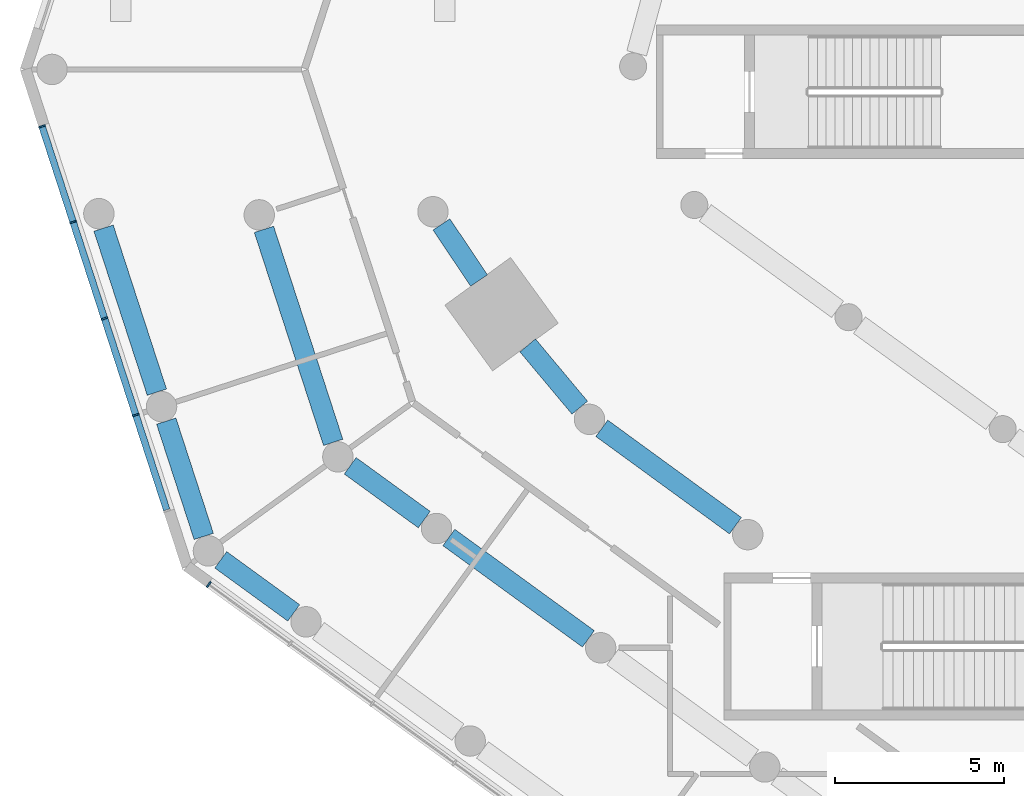
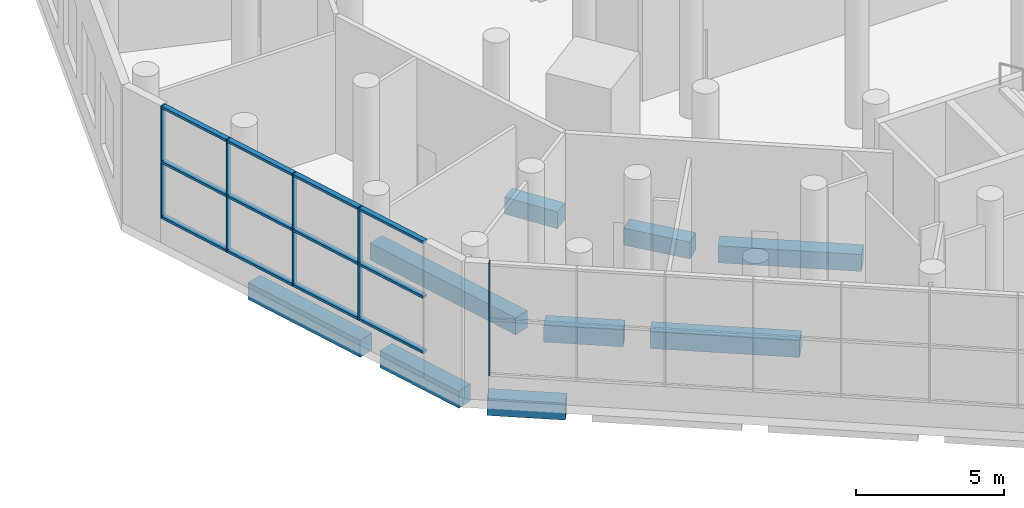
# One storey, part 3 of 19: 17 members, 9 beams, 2 elements without a shape of their own.
"""IFC4 building model written with IfcOpenShell, lengths in metres."""

import ifcopenshell
import ifcopenshell.guid

model = None  # the IFC model being written
_history = None  # IfcOwnerHistory: only IFC2X3 demands one
_inside = {}  # id of a spatial element -> (the spatial element, [elements in it])
_under = {}  # id of a project, library or spatial element -> (it, [spatial elements below it])
_declared = {}  # id of a project -> (the project, [libraries it declares])
_typed = {}  # id of a type object -> (the type object, [elements of that type])
_made_of = {}  # id of a material, layer set ... -> (it, [elements and type objects made of it])


def new_model(schema):
    """Start an empty IFC model of exactly this schema.

    Asked for "IFC4X3", IfcOpenShell would pick the latest addendum, in which some entities
    have other attributes; the version numbers below select the first issue.
    IFC2X3 requires an IfcOwnerHistory on every rooted entity: one is made here for all.
    """
    global model, _history
    if schema == "IFC4X3":
        model = ifcopenshell.file(schema_version=(4, 3, 0, 0))
    else:
        model = ifcopenshell.file(schema=schema)
    _inside.clear()
    _under.clear()
    _declared.clear()
    _typed.clear()
    _made_of.clear()
    _history = None
    if model.schema == "IFC2X3":
        org = make("IfcOrganization", Name="unknown")
        user = make(
            "IfcPersonAndOrganization",
            ThePerson=make("IfcPerson", FamilyName="unknown"),
            TheOrganization=org,
        )
        app = make(
            "IfcApplication",
            ApplicationDeveloper=org,
            Version="unknown",
            ApplicationFullName="unknown",
            ApplicationIdentifier="unknown",
        )
        _history = make(
            "IfcOwnerHistory",
            OwningUser=user,
            OwningApplication=app,
            ChangeAction="ADDED",
            CreationDate=0,
        )
    return model


def make(cls, **values):
    """One entity of the class cls with the attributes given. An attribute that is None is left unset."""
    return model.create_entity(
        cls, **{name: value for name, value in values.items() if value is not None}
    )


def rooted(cls, **values):
    """An entity with a GlobalId (a new one), such as an element, a storey or a relation."""
    return make(cls, GlobalId=ifcopenshell.guid.new(), OwnerHistory=_history, **values)


def si_unit(unit_type, name, prefix=None):
    """IfcSIUnit, for example si_unit("LENGTHUNIT", "METRE", prefix="MILLI")."""
    return make("IfcSIUnit", UnitType=unit_type, Prefix=prefix, Name=name)


def assignment(units):
    """IfcUnitAssignment: the units of a project."""
    return None if units is None else make("IfcUnitAssignment", Units=units)


def point(xyz):
    """IfcCartesianPoint."""
    return None if xyz is None else make("IfcCartesianPoint", Coordinates=xyz)


def direction(xyz):
    """IfcDirection."""
    return None if xyz is None else make("IfcDirection", DirectionRatios=xyz)


def frame(location, z_axis=None, x_axis=None):
    """IfcAxis2Placement3D, a coordinate frame: its origin and axes. An axis left out is left unset."""
    return make(
        "IfcAxis2Placement3D",
        Location=point(location),
        Axis=direction(z_axis),
        RefDirection=direction(x_axis),
    )


def frame_2d(location, x_axis=None):
    """IfcAxis2Placement2D, a coordinate frame in the plane: its origin and x axis."""
    return make(
        "IfcAxis2Placement2D", Location=point(location), RefDirection=direction(x_axis)
    )


def origin():
    """The frame at (0, 0, 0) with its axes left unset."""
    return frame((0.0, 0.0, 0.0))


def origin_2d():
    """The frame at (0, 0) in the plane with its x axis left unset."""
    return frame_2d((0.0, 0.0))


def place(relative_to, where):
    """IfcLocalPlacement: puts the frame where relative to a parent placement (None: the world)."""
    return make(
        "IfcLocalPlacement", PlacementRelTo=relative_to, RelativePlacement=where
    )


def context(
    kind, dimensions, precision=None, world=None, true_north=None, identifier=None
):
    """IfcGeometricRepresentationContext, for example the 3D "Model" context."""
    return make(
        "IfcGeometricRepresentationContext",
        ContextIdentifier=identifier,
        ContextType=kind,
        CoordinateSpaceDimension=dimensions,
        Precision=precision,
        WorldCoordinateSystem=world,
        TrueNorth=true_north,
    )


def subcontext(parent, identifier, kind, view, scale=None):
    """IfcGeometricRepresentationSubContext, for example "Body" below "Model"."""
    return make(
        "IfcGeometricRepresentationSubContext",
        ContextIdentifier=identifier,
        ContextType=kind,
        ParentContext=parent,
        TargetScale=scale,
        TargetView=view,
    )


def project(units=None, contexts=None):
    """IfcProject with its units and contexts."""
    return rooted(
        "IfcProject",
        Name="project",
        RepresentationContexts=contexts,
        UnitsInContext=assignment(units),
    )


def spatial(cls, under=None, at=None, **own):
    """A site, building, storey or space (cls), placed at a placement, below another one or the project."""
    s = rooted(cls, ObjectPlacement=at, **own)
    if under is not None:
        _under.setdefault(under.id(), (under, []))[1].append(s)
    return s


def profile(cls, at=None, kind="AREA", **sizes):
    """A parametric profile (cls). Its sizes go by their IFC names, for example OverallWidth=200.0."""
    return make(cls, ProfileType=kind, Position=at, **sizes)


def rectangle(**sizes):
    """IfcRectangleProfileDef."""
    return profile("IfcRectangleProfileDef", **sizes)


def extrude(swept, where, along, depth):
    """IfcExtrudedAreaSolid: the profile swept, set in the frame where, extruded along a direction by depth."""
    return make(
        "IfcExtrudedAreaSolid",
        SweptArea=swept,
        Position=where,
        ExtrudedDirection=direction(along),
        Depth=depth,
    )


def shape(context_of_items, identifier, shape_type, items):
    """IfcShapeRepresentation: the items that make up one representation, for example the "Body"."""
    return make(
        "IfcShapeRepresentation",
        ContextOfItems=context_of_items,
        RepresentationIdentifier=identifier,
        RepresentationType=shape_type,
        Items=items,
    )


def material(Name=None, Category=None):
    """IfcMaterial."""
    return make("IfcMaterial", Name=Name, Category=Category)


def material_profile(
    of_material, cross_section, Name=None, Category=None, Priority=None
):
    """IfcMaterialProfile: a cross section and its material."""
    return make(
        "IfcMaterialProfile",
        Name=Name,
        Material=of_material,
        Profile=cross_section,
        Priority=Priority,
        Category=Category,
    )


def profile_set(profiles, Name=None, composite=None):
    """IfcMaterialProfileSet."""
    return make(
        "IfcMaterialProfileSet",
        Name=Name,
        MaterialProfiles=profiles,
        CompositeProfile=composite,
    )


def made_of(thing, what):
    """Note that an element or type object is made of a material, layer set ...; save() writes the relation."""
    if what is not None:
        _made_of.setdefault(what.id(), (what, []))[1].append(thing)
    return thing


def type_object(cls, material=None, **own):
    """A type object (cls), such as IfcWallType, which elements share."""
    return made_of(rooted(cls, **own), material)


def element(
    cls,
    number,
    at=None,
    inside=None,
    cuts=None,
    type_object=None,
    material=None,
    context=None,
    identifier="Body",
    shape_type=None,
    held_by="IfcProductDefinitionShape",
    body=None,
    shapes=None,
    **own,
):
    """One element of the class cls, such as IfcWall. Its Tag is "e" and its number.

    at: its placement. inside: the storey or other place that contains it. cuts: it is an
    opening in that element (IfcRelVoidsElement). A single representation is given by context,
    identifier, shape_type and body (its items); several are given by shapes. held_by: the class
    of the entity that holds the representations. save() writes the other relations.
    """
    e = rooted(cls, Tag="e%d" % number, ObjectPlacement=at, **own)
    if body is not None:
        shapes = [shape(context, identifier, shape_type, body)]
    if shapes is not None:
        e.Representation = make(held_by, Representations=shapes)
    if inside is not None:
        _inside.setdefault(inside.id(), (inside, []))[1].append(e)
    if cuts is not None:
        rooted(
            "IfcRelVoidsElement", RelatingBuildingElement=cuts, RelatedOpeningElement=e
        )
    if type_object is not None:
        _typed.setdefault(type_object.id(), (type_object, []))[1].append(e)
    return made_of(e, material)


def aggregate(whole, parts):
    """IfcRelAggregates: a whole, such as a stair, and the parts it consists of."""
    return rooted("IfcRelAggregates", RelatingObject=whole, RelatedObjects=parts)


def save(model, path):
    """Write the relations noted so far, then the file.

    IfcRelAggregates (storeys below a building ...), IfcRelContainedInSpatialStructure (elements
    in a storey), IfcRelDefinesByType, IfcRelAssociatesMaterial and IfcRelDeclares: one each for
    every whole, place, type object, material and project.
    """
    for whole, parts in _under.values():
        aggregate(whole, parts)
    for where, things in _inside.values():
        rooted(
            "IfcRelContainedInSpatialStructure",
            RelatedElements=things,
            RelatingStructure=where,
        )
    for kind, things in _typed.values():
        rooted("IfcRelDefinesByType", RelatedObjects=things, RelatingType=kind)
    for what, things in _made_of.values():
        rooted("IfcRelAssociatesMaterial", RelatedObjects=things, RelatingMaterial=what)
    for by, libraries in _declared.values():
        rooted("IfcRelDeclares", RelatingContext=by, RelatedDefinitions=libraries)
    model.write(path)


model = new_model("IFC4")

# Units and contexts
model_context = context("Model", 3, precision=1e-05, world=origin(), true_north=direction((0.0, 1.0)))
body_context = subcontext(model_context, "Body", "Model", "MODEL_VIEW")
ifc_project = project(units=[si_unit("LENGTHUNIT", "METRE"), si_unit("AREAUNIT", "SQUARE_METRE"), si_unit("VOLUMEUNIT", "CUBIC_METRE"), si_unit("PLANEANGLEUNIT", "RADIAN"), si_unit("MASSUNIT", "GRAM", prefix="KILO")], contexts=[model_context])

# Site, building, storey
site_placement = place(None, origin())
site = spatial("IfcSite", under=ifc_project, at=site_placement, CompositionType="ELEMENT")
building_placement = place(site_placement, origin())
building = spatial("IfcBuilding", under=site, at=building_placement, Name="White Candle Pilgrim Tower", CompositionType="ELEMENT")
storey_placement = place(building_placement, frame((0.0, 0.0, 23.0)))
storey = spatial("IfcBuildingStorey", under=building, at=storey_placement, Name="L03", CompositionType="ELEMENT", Elevation=23.0)

# Curtain wall, members
ifc_material_1 = material(Name="Aluminium and glass", Category="aluminium")
curtain_wall_type = type_object("IfcCurtainWallType", Name="Curtain wall CW2 prayer hall clerestory", PredefinedType="NOTDEFINED", material=ifc_material_1)
curtain_wall_1_placement = place(storey_placement, origin())
curtain_wall_1 = element("IfcCurtainWall", 1, at=curtain_wall_1_placement, inside=storey, type_object=curtain_wall_type, Name="Curtain wall CW2 L03 W chamfer", PredefinedType="NOTDEFINED")
ifc_material_2 = material(Name="Aluminium", Category="aluminium")
ifc_material_profile_1 = material_profile(ifc_material_2, rectangle(XDim=0.199951171875, YDim=0.050048828125, at=origin_2d()), Name="CW2 mullion 50x200")
ifc_profile_set_1 = profile_set([ifc_material_profile_1], Name="Aluminium")
member_type_1 = type_object("IfcMemberType", Name="CW2 mullion 50x200", PredefinedType="MULLION", material=ifc_profile_set_1)
member_1_placement = place(storey_placement, frame((34.82958984375, 58.85498046875, 1.0), z_axis=(0.0, 0.0, 1.0), x_axis=(0.95105651444, 0.309017000085, 0.0)))
member_1 = element("IfcMember", 2, at=member_1_placement, type_object=member_type_1, Name="CW2 mullion 1", PredefinedType="MULLION", context=body_context, shape_type="SweptSolid", body=[
    extrude(rectangle(XDim=0.199951171875, YDim=0.050048828125, at=origin_2d()), origin(), (0.0, 0.0, 1.0), 4.64990234375),
])
member_2_placement = place(storey_placement, frame((35.7490234375, 56.025634765625, 1.0), z_axis=(0.0, 0.0, 1.0), x_axis=(0.95105651444, 0.309017000085, 0.0)))
member_2 = element("IfcMember", 3, at=member_2_placement, type_object=member_type_1, Name="CW2 mullion 2", PredefinedType="MULLION", context=body_context, shape_type="SweptSolid", body=[
    extrude(rectangle(XDim=0.199951171875, YDim=0.050048828125, at=origin_2d()), origin(), (0.0, 0.0, 1.0), 4.64990234375),
])
member_3_placement = place(storey_placement, frame((36.676025390625, 53.17236328125, 1.0), z_axis=(0.0, 0.0, 1.0), x_axis=(0.95105651444, 0.309017000085, 0.0)))
member_3 = element("IfcMember", 4, at=member_3_placement, type_object=member_type_1, Name="CW2 mullion 3", PredefinedType="MULLION", context=body_context, shape_type="SweptSolid", body=[
    extrude(rectangle(XDim=0.199951171875, YDim=0.050048828125, at=origin_2d()), origin(), (0.0, 0.0, 1.0), 4.64990234375),
])
member_4_placement = place(storey_placement, frame((37.60302734375, 50.319091796875, 1.0), z_axis=(0.0, 0.0, 1.0), x_axis=(0.95105651444, 0.309017000085, 0.0)))
member_4 = element("IfcMember", 5, at=member_4_placement, type_object=member_type_1, Name="CW2 mullion 4", PredefinedType="MULLION", context=body_context, shape_type="SweptSolid", body=[
    extrude(rectangle(XDim=0.199951171875, YDim=0.050048828125, at=origin_2d()), origin(), (0.0, 0.0, 1.0), 4.64990234375),
])

# Curtain wall, member
curtain_wall_2_placement = place(storey_placement, origin())
curtain_wall_2 = element("IfcCurtainWall", 6, at=curtain_wall_2_placement, inside=storey, type_object=curtain_wall_type, Name="Curtain wall CW2 L03 SW", PredefinedType="NOTDEFINED")
member_5_placement = place(storey_placement, frame((39.76025390625, 45.3037109375, 1.0), z_axis=(0.0, 0.0, 1.0), x_axis=(0.587785249384, 0.809016996488, 0.0)))
member_5 = element("IfcMember", 7, at=member_5_placement, type_object=member_type_1, Name="CW2 mullion 1", PredefinedType="MULLION", context=body_context, shape_type="SweptSolid", body=[
    extrude(rectangle(XDim=0.199951171875, YDim=0.050048828125, at=origin_2d()), origin(), (0.0, 0.0, 1.0), 4.64990234375),
])
aggregate(curtain_wall_2, [member_5])

# Member
ifc_material_profile_2 = material_profile(ifc_material_2, rectangle(XDim=0.199951171875, YDim=0.10009765625, at=origin_2d()), Name="CW2 transom 100x200")
ifc_profile_set_2 = profile_set([ifc_material_profile_2], Name="Aluminium")
member_type_2 = type_object("IfcMemberType", Name="CW2 transom 100x200", PredefinedType="USERDEFINED", material=ifc_profile_set_2)
member_6_placement = place(storey_placement, frame((34.83740234375, 58.8310546875, 1.050048828125), z_axis=(0.309006800495, -0.951059828427, 0.0), x_axis=(0.951059828427, 0.309006800495, 0.0)))
member_6 = element("IfcMember", 8, at=member_6_placement, type_object=member_type_2, Name="CW2 transom 1.1", ObjectType="TRANSOM", PredefinedType="USERDEFINED", context=body_context, shape_type="SweptSolid", body=[
    extrude(rectangle(XDim=0.199951171875, YDim=0.10009765625, at=origin_2d()), origin(), (0.0, 0.0, 1.0), 2.9248046875),
])

member_7_placement = place(storey_placement, frame((34.83740234375, 58.8310546875, 3.324951171875), z_axis=(0.309006800495, -0.951059828427, 0.0), x_axis=(0.951059828427, 0.309006800495, 0.0)))
member_7 = element("IfcMember", 9, at=member_7_placement, type_object=member_type_2, Name="CW2 transom 1.2", ObjectType="TRANSOM", PredefinedType="USERDEFINED", context=body_context, shape_type="SweptSolid", body=[
    extrude(rectangle(XDim=0.199951171875, YDim=0.10009765625, at=origin_2d()), origin(), (0.0, 0.0, 1.0), 2.9248046875),
])

member_8_placement = place(storey_placement, frame((34.83740234375, 58.8310546875, 5.60009765625), z_axis=(0.309006800495, -0.951059828427, 0.0), x_axis=(0.951059828427, 0.309006800495, 0.0)))
member_8 = element("IfcMember", 10, at=member_8_placement, type_object=member_type_2, Name="CW2 transom 1.3", ObjectType="TRANSOM", PredefinedType="USERDEFINED", context=body_context, shape_type="SweptSolid", body=[
    extrude(rectangle(XDim=0.199951171875, YDim=0.10009765625, at=origin_2d()), origin(), (0.0, 0.0, 1.0), 2.9248046875),
])

member_9_placement = place(storey_placement, frame((35.756591796875, 56.001708984375, 1.050048828125), z_axis=(0.309018704887, -0.951055960514, 0.0), x_axis=(0.951055960514, 0.309018704887, 0.0)))
member_9 = element("IfcMember", 11, at=member_9_placement, type_object=member_type_2, Name="CW2 transom 2.1", ObjectType="TRANSOM", PredefinedType="USERDEFINED", context=body_context, shape_type="SweptSolid", body=[
    extrude(rectangle(XDim=0.199951171875, YDim=0.10009765625, at=origin_2d()), origin(), (0.0, 0.0, 1.0), 2.949951171875),
])

member_10_placement = place(storey_placement, frame((35.756591796875, 56.001708984375, 3.324951171875), z_axis=(0.309018704887, -0.951055960514, 0.0), x_axis=(0.951055960514, 0.309018704887, 0.0)))
member_10 = element("IfcMember", 12, at=member_10_placement, type_object=member_type_2, Name="CW2 transom 2.2", ObjectType="TRANSOM", PredefinedType="USERDEFINED", context=body_context, shape_type="SweptSolid", body=[
    extrude(rectangle(XDim=0.199951171875, YDim=0.10009765625, at=origin_2d()), origin(), (0.0, 0.0, 1.0), 2.949951171875),
])

member_11_placement = place(storey_placement, frame((35.756591796875, 56.001708984375, 5.60009765625), z_axis=(0.309018704887, -0.951055960514, 0.0), x_axis=(0.951055960514, 0.309018704887, 0.0)))
member_11 = element("IfcMember", 13, at=member_11_placement, type_object=member_type_2, Name="CW2 transom 2.3", ObjectType="TRANSOM", PredefinedType="USERDEFINED", context=body_context, shape_type="SweptSolid", body=[
    extrude(rectangle(XDim=0.199951171875, YDim=0.10009765625, at=origin_2d()), origin(), (0.0, 0.0, 1.0), 2.949951171875),
])

member_12_placement = place(storey_placement, frame((36.683837890625, 53.148681640625, 1.050048828125), z_axis=(0.308943846708, -0.951080280303, 0.0), x_axis=(0.951080280303, 0.308943846708, 0.0)))
member_12 = element("IfcMember", 14, at=member_12_placement, type_object=member_type_2, Name="CW2 transom 3.1", ObjectType="TRANSOM", PredefinedType="USERDEFINED", context=body_context, shape_type="SweptSolid", body=[
    extrude(rectangle(XDim=0.199951171875, YDim=0.10009765625, at=origin_2d()), origin(), (0.0, 0.0, 1.0), 2.949951171875),
])

member_13_placement = place(storey_placement, frame((36.683837890625, 53.148681640625, 3.324951171875), z_axis=(0.308943846708, -0.951080280303, 0.0), x_axis=(0.951080280303, 0.308943846708, 0.0)))
member_13 = element("IfcMember", 15, at=member_13_placement, type_object=member_type_2, Name="CW2 transom 3.2", ObjectType="TRANSOM", PredefinedType="USERDEFINED", context=body_context, shape_type="SweptSolid", body=[
    extrude(rectangle(XDim=0.199951171875, YDim=0.10009765625, at=origin_2d()), origin(), (0.0, 0.0, 1.0), 2.949951171875),
])

member_14_placement = place(storey_placement, frame((36.683837890625, 53.148681640625, 5.60009765625), z_axis=(0.308943846708, -0.951080280303, 0.0), x_axis=(0.951080280303, 0.308943846708, 0.0)))
member_14 = element("IfcMember", 16, at=member_14_placement, type_object=member_type_2, Name="CW2 transom 3.3", ObjectType="TRANSOM", PredefinedType="USERDEFINED", context=body_context, shape_type="SweptSolid", body=[
    extrude(rectangle(XDim=0.199951171875, YDim=0.10009765625, at=origin_2d()), origin(), (0.0, 0.0, 1.0), 2.949951171875),
])

member_15_placement = place(storey_placement, frame((37.61083984375, 50.29541015625, 1.050048828125), z_axis=(0.309006800495, -0.951059828427, 0.0), x_axis=(0.951059828427, 0.309006800495, 0.0)))
member_15 = element("IfcMember", 17, at=member_15_placement, type_object=member_type_2, Name="CW2 transom 4.1", ObjectType="TRANSOM", PredefinedType="USERDEFINED", context=body_context, shape_type="SweptSolid", body=[
    extrude(rectangle(XDim=0.199951171875, YDim=0.10009765625, at=origin_2d()), origin(), (0.0, 0.0, 1.0), 2.9248046875),
])

member_16_placement = place(storey_placement, frame((37.61083984375, 50.29541015625, 3.324951171875), z_axis=(0.309006800495, -0.951059828427, 0.0), x_axis=(0.951059828427, 0.309006800495, 0.0)))
member_16 = element("IfcMember", 18, at=member_16_placement, type_object=member_type_2, Name="CW2 transom 4.2", ObjectType="TRANSOM", PredefinedType="USERDEFINED", context=body_context, shape_type="SweptSolid", body=[
    extrude(rectangle(XDim=0.199951171875, YDim=0.10009765625, at=origin_2d()), origin(), (0.0, 0.0, 1.0), 2.9248046875),
])

member_17_placement = place(storey_placement, frame((37.61083984375, 50.29541015625, 5.60009765625), z_axis=(0.309006800495, -0.951059828427, 0.0), x_axis=(0.951059828427, 0.309006800495, 0.0)))
member_17 = element("IfcMember", 19, at=member_17_placement, type_object=member_type_2, Name="CW2 transom 4.3", ObjectType="TRANSOM", PredefinedType="USERDEFINED", context=body_context, shape_type="SweptSolid", body=[
    extrude(rectangle(XDim=0.199951171875, YDim=0.10009765625, at=origin_2d()), origin(), (0.0, 0.0, 1.0), 2.9248046875),
])

aggregate(curtain_wall_1, [member_1, member_2, member_3, member_4, member_6, member_7, member_8, member_9, member_10, member_11, member_12, member_13, member_14, member_15, member_16, member_17])

# Beams
ifc_material_3 = material(Name="Concrete C50/60", Category="concrete")
ifc_material_profile_3 = material_profile(ifc_material_3, rectangle(XDim=0.60009765625, YDim=0.699951171875, at=origin_2d()), Name="RC-BM 600x700")
ifc_profile_set_3 = profile_set([ifc_material_profile_3], Name="Concrete C50/60")
beam_type = type_object("IfcBeamType", Name="Spandrel beam RC-BM 600x700 C50/60", PredefinedType="BEAM", material=ifc_profile_set_3)
beam_1_placement = place(storey_placement, frame((46.640380859375, 55.956298828125, -0.699951171875), z_axis=(0.556617573138, -0.830768847077, 0.0), x_axis=(0.830768847077, 0.556617573138, 0.0)))
element("IfcBeam", 20, at=beam_1_placement, inside=storey, type_object=beam_type, Name="L03 spandrel beam T01", PredefinedType="BEAM", context=body_context, shape_type="SweptSolid", body=[
    extrude(rectangle(XDim=0.60009765625, YDim=0.699951171875, at=origin_2d()), origin(), (0.0, 0.0, 1.0), 1.99658203125),
])
beam_2_placement = place(storey_placement, frame((49.19140625, 52.377197265625, -0.699951171875), z_axis=(0.641413771477, -0.767195134083, 0.0), x_axis=(0.767195134083, 0.641413771477, 0.0)))
element("IfcBeam", 21, at=beam_2_placement, inside=storey, type_object=beam_type, Name="L03 spandrel beam T02", PredefinedType="BEAM", context=body_context, shape_type="SweptSolid", body=[
    extrude(rectangle(XDim=0.60009765625, YDim=0.699951171875, at=origin_2d()), origin(), (0.0, 0.0, 1.0), 2.401123046875),
])
beam_3_placement = place(storey_placement, frame((51.383544921875, 49.925048828125, -0.699951171875), z_axis=(0.808219865497, -0.588880844498, 0.0), x_axis=(0.588880844498, 0.808219865497, 0.0)))
element("IfcBeam", 22, at=beam_3_placement, inside=storey, type_object=beam_type, Name="L03 spandrel beam T03", PredefinedType="BEAM", context=body_context, shape_type="SweptSolid", body=[
    extrude(rectangle(XDim=0.60009765625, YDim=0.699951171875, at=origin_2d()), origin(), (0.0, 0.0, 1.0), 4.890869140625),
])
beam_4_placement = place(storey_placement, frame((36.64892578125, 55.84521484375, -0.699951171875), z_axis=(0.308996245399, -0.951063257796, 0.0), x_axis=(0.951063257796, 0.308996245399, 0.0)))
element("IfcBeam", 23, at=beam_4_placement, inside=storey, type_object=beam_type, Name="L03 spandrel beam B01", PredefinedType="BEAM", context=body_context, shape_type="SweptSolid", body=[
    extrude(rectangle(XDim=0.60009765625, YDim=0.699951171875, at=origin_2d()), origin(), (0.0, 0.0, 1.0), 5.100830078125),
])
beam_5_placement = place(storey_placement, frame((38.5029296875, 50.13818359375, -0.699951171875), z_axis=(0.309029111375, -0.951052579158, 0.0), x_axis=(0.951052579158, 0.309029111375, 0.0)))
element("IfcBeam", 24, at=beam_5_placement, inside=storey, type_object=beam_type, Name="L03 spandrel beam B02", PredefinedType="BEAM", context=body_context, shape_type="SweptSolid", body=[
    extrude(rectangle(XDim=0.60009765625, YDim=0.699951171875, at=origin_2d()), origin(), (0.0, 0.0, 1.0), 3.5859375),
])
beam_6_placement = place(storey_placement, frame((40.11376953125, 46.03564453125, -0.699951171875), z_axis=(0.808941690676, -0.587888884982, 0.0), x_axis=(0.587888884982, 0.808941690676, 0.0)))
element("IfcBeam", 25, at=beam_6_placement, inside=storey, type_object=beam_type, Name="L03 spandrel beam B03", PredefinedType="BEAM", context=body_context, shape_type="SweptSolid", body=[
    extrude(rectangle(XDim=0.60009765625, YDim=0.699951171875, at=origin_2d()), origin(), (0.0, 0.0, 1.0), 2.66943359375),
])
beam_7_placement = place(storey_placement, frame((41.39208984375, 55.80908203125, -0.699951171875), z_axis=(0.308987736587, -0.951066022229, 0.0), x_axis=(0.951066022229, 0.308987736587, 0.0)))
element("IfcBeam", 26, at=beam_7_placement, inside=storey, type_object=beam_type, Name="L03 spandrel beam C01", PredefinedType="BEAM", context=body_context, shape_type="SweptSolid", body=[
    extrude(rectangle(XDim=0.60009765625, YDim=0.699951171875, at=origin_2d()), origin(), (0.0, 0.0, 1.0), 6.62451171875),
])
beam_8_placement = place(storey_placement, frame((43.94189453125, 48.816650390625, -0.699951171875), z_axis=(0.809008975915, -0.587796288598, 0.0), x_axis=(0.587796288598, 0.809008975915, 0.0)))
element("IfcBeam", 27, at=beam_8_placement, inside=storey, type_object=beam_type, Name="L03 spandrel beam C02", PredefinedType="BEAM", context=body_context, shape_type="SweptSolid", body=[
    extrude(rectangle(XDim=0.60009765625, YDim=0.699951171875, at=origin_2d()), origin(), (0.0, 0.0, 1.0), 2.707275390625),
])
beam_9_placement = place(storey_placement, frame((46.85986328125, 46.696533203125, -0.699951171875), z_axis=(0.80900095282, -0.587807330965, 0.0), x_axis=(0.587807330965, 0.80900095282, 0.0)))
element("IfcBeam", 28, at=beam_9_placement, inside=storey, type_object=beam_type, Name="L03 spandrel beam C03", PredefinedType="BEAM", context=body_context, shape_type="SweptSolid", body=[
    extrude(rectangle(XDim=0.60009765625, YDim=0.699951171875, at=origin_2d()), origin(), (0.0, 0.0, 1.0), 5.100341796875),
])

save(model, "model.ifc")
